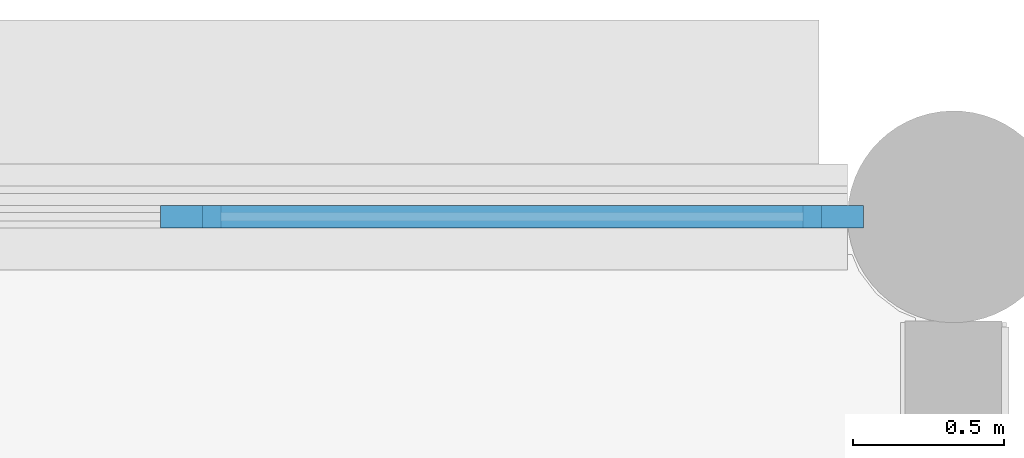
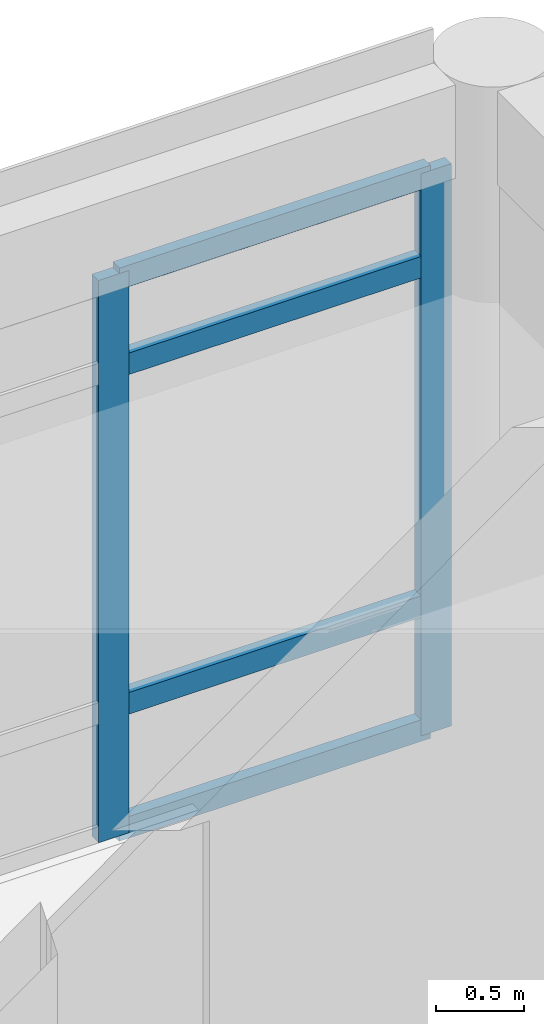
# One storey, part 31 of 92: 6 members, 1 element without a shape of its own.
"""IFC4 building model written with IfcOpenShell, lengths in metres."""

from ifc_helpers import new_model, si_unit, direction, frame, origin, origin_2d, place, context, subcontext, project, spatial, rectangle, extrude, material, layer, layer_set, material_profile, profile_set, type_object, element, aggregate, save


model = new_model("IFC4")

# Units and contexts
model_context = context("Model", 3, precision=1e-05, world=origin(), true_north=direction((0.0, 1.0)))
body_context = subcontext(model_context, "Body", "Model", "MODEL_VIEW")
ifc_project = project(units=[si_unit("LENGTHUNIT", "METRE"), si_unit("AREAUNIT", "SQUARE_METRE"), si_unit("VOLUMEUNIT", "CUBIC_METRE"), si_unit("PLANEANGLEUNIT", "RADIAN"), si_unit("MASSUNIT", "GRAM", prefix="KILO")], contexts=[model_context])

# Site, building, storey
site_placement = place(None, origin())
site = spatial("IfcSite", under=ifc_project, at=site_placement, CompositionType="ELEMENT")
building_placement = place(site_placement, origin())
building = spatial("IfcBuilding", under=site, at=building_placement, Name="Namkhue Oval Health Centre", CompositionType="ELEMENT")
storey_placement = place(building_placement, frame((0.0, 0.0, 4.800048828125)))
storey = spatial("IfcBuildingStorey", under=building, at=storey_placement, Name="L01", CompositionType="ELEMENT", Elevation=4.800048828125)

# Curtain wall, members
ifc_material = material(Name="Anodised aluminium EN AW-6063 T6", Category="aluminium")
ifc_layer = layer(ifc_material, 0.159912109375)
ifc_layer_set = layer_set([ifc_layer], Name="Anodised aluminium EN AW-6063 T6")
curtain_wall_type = type_object("IfcCurtainWallType", Name="UNITISED CURTAIN WALL M2000", PredefinedType="NOTDEFINED", material=ifc_layer_set)
curtain_wall_placement = place(storey_placement, origin())
curtain_wall = element("IfcCurtainWall", 1, at=curtain_wall_placement, inside=storey, type_object=curtain_wall_type, Name="Volume V3 L01 Unitised Curtain Wall 102", PredefinedType="NOTDEFINED")
ifc_material_profile_1 = material_profile(ifc_material, rectangle(XDim=0.074951171875, YDim=0.199951171875, at=origin_2d()), Name="ALU 75x200")
ifc_profile_set_1 = profile_set([ifc_material_profile_1], Name="Anodised aluminium EN AW-6063 T6")
member_type_1 = type_object("IfcMemberType", Name="CURTAIN WALL MULLION 75X200", PredefinedType="MULLION", material=ifc_profile_set_1)
member_1_placement = place(storey_placement, frame((136.402587890625, 97.199951171875, 0.0), z_axis=(0.0, 0.0, 1.0), x_axis=(0.0, -1.0, 0.0)))
member_1 = element("IfcMember", 2, at=member_1_placement, type_object=member_type_1, Name="CW-06 mullion 1", PredefinedType="MULLION", context=body_context, shape_type="SweptSolid", body=[
    extrude(rectangle(XDim=0.074951171875, YDim=0.199951171875, at=origin_2d()), origin(), (0.0, 0.0, 1.0), 3.911865234375),
])
member_2_placement = place(storey_placement, frame((134.280029296875, 97.199951171875, 0.0), z_axis=(0.0, 0.0, 1.0), x_axis=(0.0, -1.0, 0.0)))
member_2 = element("IfcMember", 3, at=member_2_placement, type_object=member_type_1, Name="CW-06 mullion 2", PredefinedType="MULLION", context=body_context, shape_type="SweptSolid", body=[
    extrude(rectangle(XDim=0.074951171875, YDim=0.199951171875, at=origin_2d()), origin(), (0.0, 0.0, 1.0), 3.911865234375),
])
ifc_material_profile_2 = material_profile(ifc_material, rectangle(XDim=0.074951171875, YDim=0.14990234375, at=origin_2d()), Name="ALU 75x150")
ifc_profile_set_2 = profile_set([ifc_material_profile_2], Name="Anodised aluminium EN AW-6063 T6")
member_type_2 = type_object("IfcMemberType", Name="CURTAIN WALL TRANSOM 75X150", PredefinedType="USERDEFINED", material=ifc_profile_set_2)
member_3_placement = place(storey_placement, frame((136.364990234375, 97.199951171875, 0.037353515625), z_axis=(-1.0, 0.0, 0.0), x_axis=(0.0, -1.0, 0.0)))
member_3 = element("IfcMember", 4, at=member_3_placement, type_object=member_type_2, Name="CW-06 transom 1.1", ObjectType="TRANSOM", PredefinedType="USERDEFINED", context=body_context, shape_type="SweptSolid", body=[
    extrude(rectangle(XDim=0.074951171875, YDim=0.14990234375, at=origin_2d()), origin(), (0.0, 0.0, 1.0), 2.047607421875),
])
member_4_placement = place(storey_placement, frame((136.364990234375, 97.199951171875, 0.89990234375), z_axis=(-1.0, 0.0, 0.0), x_axis=(0.0, -1.0, 0.0)))
member_4 = element("IfcMember", 5, at=member_4_placement, type_object=member_type_2, Name="CW-06 transom 1.2", ObjectType="TRANSOM", PredefinedType="USERDEFINED", context=body_context, shape_type="SweptSolid", body=[
    extrude(rectangle(XDim=0.074951171875, YDim=0.14990234375, at=origin_2d()), origin(), (0.0, 0.0, 1.0), 2.047607421875),
])
member_5_placement = place(storey_placement, frame((136.364990234375, 97.199951171875, 3.261962890625), z_axis=(-1.0, 0.0, 0.0), x_axis=(0.0, -1.0, 0.0)))
member_5 = element("IfcMember", 6, at=member_5_placement, type_object=member_type_2, Name="CW-06 transom 1.3", ObjectType="TRANSOM", PredefinedType="USERDEFINED", context=body_context, shape_type="SweptSolid", body=[
    extrude(rectangle(XDim=0.074951171875, YDim=0.14990234375, at=origin_2d()), origin(), (0.0, 0.0, 1.0), 2.047607421875),
])
member_6_placement = place(storey_placement, frame((136.364990234375, 97.199951171875, 3.87451171875), z_axis=(-1.0, 0.0, 0.0), x_axis=(0.0, -1.0, 0.0)))
member_6 = element("IfcMember", 7, at=member_6_placement, type_object=member_type_2, Name="CW-06 transom 1.4", ObjectType="TRANSOM", PredefinedType="USERDEFINED", context=body_context, shape_type="SweptSolid", body=[
    extrude(rectangle(XDim=0.074951171875, YDim=0.14990234375, at=origin_2d()), origin(), (0.0, 0.0, 1.0), 2.047607421875),
])
aggregate(curtain_wall, [member_1, member_2, member_3, member_4, member_5, member_6])

save(model, "model.ifc")
